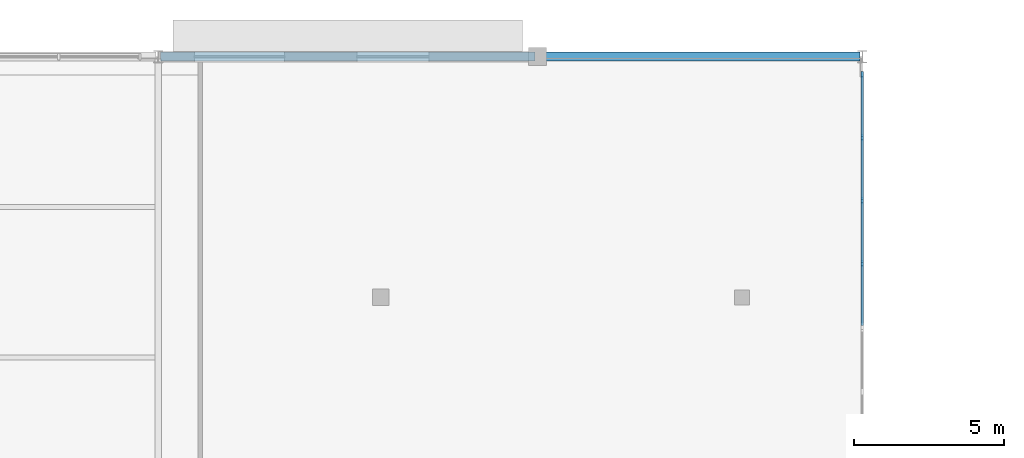
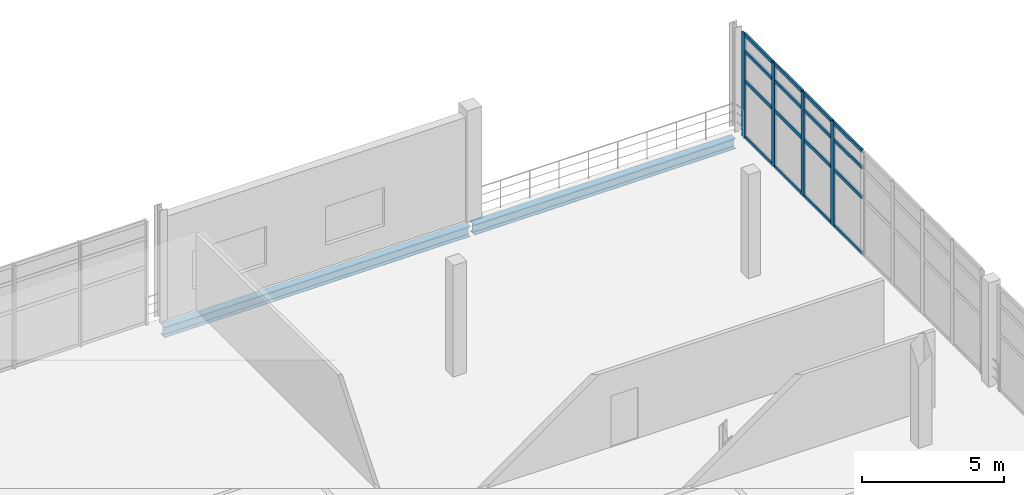
# One storey, part 28 of 52: 20 members, 2 beams, 1 element without a shape of its own.
"""IFC4 building model written with IfcOpenShell, lengths in metres."""

from ifc_helpers import new_model, si_unit, direction, frame, origin, origin_2d, place, context, subcontext, project, spatial, rectangle, i_section, extrude, material, material_profile, profile_set, type_object, element, aggregate, save


model = new_model("IFC4")

# Units and contexts
model_context = context("Model", 3, precision=1e-05, world=origin(), true_north=direction((0.0, 1.0)))
body_context = subcontext(model_context, "Body", "Model", "MODEL_VIEW")
ifc_project = project(units=[si_unit("LENGTHUNIT", "METRE"), si_unit("AREAUNIT", "SQUARE_METRE"), si_unit("VOLUMEUNIT", "CUBIC_METRE"), si_unit("PLANEANGLEUNIT", "RADIAN"), si_unit("MASSUNIT", "GRAM", prefix="KILO"), si_unit("THERMODYNAMICTEMPERATUREUNIT", "KELVIN"), si_unit("POWERUNIT", "WATT")], contexts=[model_context])

# Site, building, storey
site_placement = place(None, origin())
site = spatial("IfcSite", under=ifc_project, at=site_placement, CompositionType="ELEMENT")
building_placement = place(site_placement, origin())
building = spatial("IfcBuilding", under=site, at=building_placement, Name="Solmara Park Aquatics Centre", CompositionType="ELEMENT")
storey_placement = place(building_placement, frame((0.0, 0.0, 9.60009765625)))
storey = spatial("IfcBuildingStorey", under=building, at=storey_placement, Name="L02", CompositionType="ELEMENT", Elevation=9.60009765625)

# Curtain wall, members
ifc_material_1 = material(Name="Anodised Aluminium Curtain Wall Framing", Category="aluminium")
curtain_wall_type = type_object("IfcCurtainWallType", Name="ARC-CW-SYS06", PredefinedType="USERDEFINED", material=ifc_material_1)
curtain_wall_placement = place(storey_placement, origin())
curtain_wall = element("IfcCurtainWall", 1, at=curtain_wall_placement, inside=storey, type_object=curtain_wall_type, Name="Curtain Wall CW-129", ObjectType="CURTAIN WALL", PredefinedType="USERDEFINED")
ifc_material_2 = material(Name="Anodised Aluminium Alloy 6063-T6", Category="aluminium")
ifc_material_profile_1 = material_profile(ifc_material_2, rectangle(XDim=0.074951171875, YDim=0.219970703125, at=origin_2d()), Name="ALU MULLION 75x220")
ifc_profile_set_1 = profile_set([ifc_material_profile_1], Name="Anodised Aluminium Alloy 6063-T6")
member_type_1 = type_object("IfcMemberType", Name="ARC-CWM-75x220", PredefinedType="MULLION", material=ifc_profile_set_1)
member_1_placement = place(storey_placement, frame((120.0, 129.1298828125, 0.0), z_axis=(0.0, 0.0, 1.0), x_axis=(1.0, 0.0, 0.0)))
member_1 = element("IfcMember", 2, at=member_1_placement, type_object=member_type_1, Name="CW-129 mullion 2", PredefinedType="MULLION", context=body_context, shape_type="SweptSolid", body=[
    extrude(rectangle(XDim=0.074951171875, YDim=0.219970703125, at=origin_2d()), origin(), (0.0, 0.0, 1.0), 4.47998046875),
])
member_2_placement = place(storey_placement, frame((120.0, 131.219970703125, 0.0), z_axis=(0.0, 0.0, 1.0), x_axis=(1.0, 0.0, 0.0)))
member_2 = element("IfcMember", 3, at=member_2_placement, type_object=member_type_1, Name="CW-129 mullion 3", PredefinedType="MULLION", context=body_context, shape_type="SweptSolid", body=[
    extrude(rectangle(XDim=0.074951171875, YDim=0.219970703125, at=origin_2d()), origin(), (0.0, 0.0, 1.0), 4.47998046875),
])
member_3_placement = place(storey_placement, frame((120.0, 133.31005859375, 0.0), z_axis=(0.0, 0.0, 1.0), x_axis=(1.0, 0.0, 0.0)))
member_3 = element("IfcMember", 4, at=member_3_placement, type_object=member_type_1, Name="CW-129 mullion 4", PredefinedType="MULLION", context=body_context, shape_type="SweptSolid", body=[
    extrude(rectangle(XDim=0.074951171875, YDim=0.219970703125, at=origin_2d()), origin(), (0.0, 0.0, 1.0), 4.47998046875),
])
member_4_placement = place(storey_placement, frame((120.0, 135.39990234375, 0.0), z_axis=(0.0, 0.0, 1.0), x_axis=(1.0, 0.0, 0.0)))
member_4 = element("IfcMember", 5, at=member_4_placement, type_object=member_type_1, Name="CW-129 mullion 5", PredefinedType="MULLION", context=body_context, shape_type="SweptSolid", body=[
    extrude(rectangle(XDim=0.074951171875, YDim=0.219970703125, at=origin_2d()), origin(), (0.0, 0.0, 1.0), 4.47998046875),
])
ifc_material_profile_2 = material_profile(ifc_material_2, rectangle(XDim=0.074951171875, YDim=0.14990234375, at=origin_2d()), Name="ALU TRANSOM 75x150")
ifc_profile_set_2 = profile_set([ifc_material_profile_2], Name="Anodised Aluminium Alloy 6063-T6")
member_type_2 = type_object("IfcMemberType", Name="ARC-CWT-75x150", PredefinedType="USERDEFINED", material=ifc_profile_set_2)
member_5_placement = place(storey_placement, frame((120.0, 127.06005859375, 0.039794921875), z_axis=(0.0, 1.0, 0.0), x_axis=(-1.0, 0.0, 0.0)))
member_5 = element("IfcMember", 6, at=member_5_placement, type_object=member_type_2, Name="CW-129 transom 1", ObjectType="TRANSOM", PredefinedType="USERDEFINED", context=body_context, shape_type="SweptSolid", body=[
    extrude(rectangle(XDim=0.074951171875, YDim=0.14990234375, at=origin_2d()), origin(), (0.0, 0.0, 1.0), 2.010009765625),
])
member_6_placement = place(storey_placement, frame((120.0, 127.06005859375, 2.449951171875), z_axis=(0.0, 1.0, 0.0), x_axis=(-1.0, 0.0, 0.0)))
member_6 = element("IfcMember", 7, at=member_6_placement, type_object=member_type_2, Name="CW-129 transom 2", ObjectType="TRANSOM", PredefinedType="USERDEFINED", context=body_context, shape_type="SweptSolid", body=[
    extrude(rectangle(XDim=0.074951171875, YDim=0.14990234375, at=origin_2d()), origin(), (0.0, 0.0, 1.0), 2.010009765625),
])
member_7_placement = place(storey_placement, frame((120.0, 127.06005859375, 3.72998046875), z_axis=(0.0, 1.0, 0.0), x_axis=(-1.0, 0.0, 0.0)))
member_7 = element("IfcMember", 8, at=member_7_placement, type_object=member_type_2, Name="CW-129 transom 3", ObjectType="TRANSOM", PredefinedType="USERDEFINED", context=body_context, shape_type="SweptSolid", body=[
    extrude(rectangle(XDim=0.074951171875, YDim=0.14990234375, at=origin_2d()), origin(), (0.0, 0.0, 1.0), 2.010009765625),
])
member_8_placement = place(storey_placement, frame((120.0, 127.06005859375, 4.43994140625), z_axis=(0.0, 1.0, 0.0), x_axis=(-1.0, 0.0, 0.0)))
member_8 = element("IfcMember", 9, at=member_8_placement, type_object=member_type_2, Name="CW-129 transom 4", ObjectType="TRANSOM", PredefinedType="USERDEFINED", context=body_context, shape_type="SweptSolid", body=[
    extrude(rectangle(XDim=0.074951171875, YDim=0.14990234375, at=origin_2d()), origin(), (0.0, 0.0, 1.0), 2.010009765625),
])
member_9_placement = place(storey_placement, frame((120.0, 129.14990234375, 0.039794921875), z_axis=(0.0, 1.0, 0.0), x_axis=(-1.0, 0.0, 0.0)))
member_9 = element("IfcMember", 10, at=member_9_placement, type_object=member_type_2, Name="CW-129 transom 5", ObjectType="TRANSOM", PredefinedType="USERDEFINED", context=body_context, shape_type="SweptSolid", body=[
    extrude(rectangle(XDim=0.074951171875, YDim=0.14990234375, at=origin_2d()), origin(), (0.0, 0.0, 1.0), 2.010009765625),
])
member_10_placement = place(storey_placement, frame((120.0, 129.14990234375, 2.449951171875), z_axis=(0.0, 1.0, 0.0), x_axis=(-1.0, 0.0, 0.0)))
member_10 = element("IfcMember", 11, at=member_10_placement, type_object=member_type_2, Name="CW-129 transom 6", ObjectType="TRANSOM", PredefinedType="USERDEFINED", context=body_context, shape_type="SweptSolid", body=[
    extrude(rectangle(XDim=0.074951171875, YDim=0.14990234375, at=origin_2d()), origin(), (0.0, 0.0, 1.0), 2.010009765625),
])
member_11_placement = place(storey_placement, frame((120.0, 129.14990234375, 3.72998046875), z_axis=(0.0, 1.0, 0.0), x_axis=(-1.0, 0.0, 0.0)))
member_11 = element("IfcMember", 12, at=member_11_placement, type_object=member_type_2, Name="CW-129 transom 7", ObjectType="TRANSOM", PredefinedType="USERDEFINED", context=body_context, shape_type="SweptSolid", body=[
    extrude(rectangle(XDim=0.074951171875, YDim=0.14990234375, at=origin_2d()), origin(), (0.0, 0.0, 1.0), 2.010009765625),
])
member_12_placement = place(storey_placement, frame((120.0, 129.14990234375, 4.43994140625), z_axis=(0.0, 1.0, 0.0), x_axis=(-1.0, 0.0, 0.0)))
member_12 = element("IfcMember", 13, at=member_12_placement, type_object=member_type_2, Name="CW-129 transom 8", ObjectType="TRANSOM", PredefinedType="USERDEFINED", context=body_context, shape_type="SweptSolid", body=[
    extrude(rectangle(XDim=0.074951171875, YDim=0.14990234375, at=origin_2d()), origin(), (0.0, 0.0, 1.0), 2.010009765625),
])
member_13_placement = place(storey_placement, frame((120.0, 131.239990234375, 0.039794921875), z_axis=(0.0, 1.0, 0.0), x_axis=(-1.0, 0.0, 0.0)))
member_13 = element("IfcMember", 14, at=member_13_placement, type_object=member_type_2, Name="CW-129 transom 9", ObjectType="TRANSOM", PredefinedType="USERDEFINED", context=body_context, shape_type="SweptSolid", body=[
    extrude(rectangle(XDim=0.074951171875, YDim=0.14990234375, at=origin_2d()), origin(), (0.0, 0.0, 1.0), 2.010009765625),
])
member_14_placement = place(storey_placement, frame((120.0, 131.239990234375, 2.449951171875), z_axis=(0.0, 1.0, 0.0), x_axis=(-1.0, 0.0, 0.0)))
member_14 = element("IfcMember", 15, at=member_14_placement, type_object=member_type_2, Name="CW-129 transom 10", ObjectType="TRANSOM", PredefinedType="USERDEFINED", context=body_context, shape_type="SweptSolid", body=[
    extrude(rectangle(XDim=0.074951171875, YDim=0.14990234375, at=origin_2d()), origin(), (0.0, 0.0, 1.0), 2.010009765625),
])
member_15_placement = place(storey_placement, frame((120.0, 131.239990234375, 3.72998046875), z_axis=(0.0, 1.0, 0.0), x_axis=(-1.0, 0.0, 0.0)))
member_15 = element("IfcMember", 16, at=member_15_placement, type_object=member_type_2, Name="CW-129 transom 11", ObjectType="TRANSOM", PredefinedType="USERDEFINED", context=body_context, shape_type="SweptSolid", body=[
    extrude(rectangle(XDim=0.074951171875, YDim=0.14990234375, at=origin_2d()), origin(), (0.0, 0.0, 1.0), 2.010009765625),
])
member_16_placement = place(storey_placement, frame((120.0, 131.239990234375, 4.43994140625), z_axis=(0.0, 1.0, 0.0), x_axis=(-1.0, 0.0, 0.0)))
member_16 = element("IfcMember", 17, at=member_16_placement, type_object=member_type_2, Name="CW-129 transom 12", ObjectType="TRANSOM", PredefinedType="USERDEFINED", context=body_context, shape_type="SweptSolid", body=[
    extrude(rectangle(XDim=0.074951171875, YDim=0.14990234375, at=origin_2d()), origin(), (0.0, 0.0, 1.0), 2.010009765625),
])
member_17_placement = place(storey_placement, frame((120.0, 133.330078125, 0.039794921875), z_axis=(0.0, 1.0, 0.0), x_axis=(-1.0, 0.0, 0.0)))
member_17 = element("IfcMember", 18, at=member_17_placement, type_object=member_type_2, Name="CW-129 transom 13", ObjectType="TRANSOM", PredefinedType="USERDEFINED", context=body_context, shape_type="SweptSolid", body=[
    extrude(rectangle(XDim=0.074951171875, YDim=0.14990234375, at=origin_2d()), origin(), (0.0, 0.0, 1.0), 2.010009765625),
])
member_18_placement = place(storey_placement, frame((120.0, 133.330078125, 2.449951171875), z_axis=(0.0, 1.0, 0.0), x_axis=(-1.0, 0.0, 0.0)))
member_18 = element("IfcMember", 19, at=member_18_placement, type_object=member_type_2, Name="CW-129 transom 14", ObjectType="TRANSOM", PredefinedType="USERDEFINED", context=body_context, shape_type="SweptSolid", body=[
    extrude(rectangle(XDim=0.074951171875, YDim=0.14990234375, at=origin_2d()), origin(), (0.0, 0.0, 1.0), 2.010009765625),
])
member_19_placement = place(storey_placement, frame((120.0, 133.330078125, 3.72998046875), z_axis=(0.0, 1.0, 0.0), x_axis=(-1.0, 0.0, 0.0)))
member_19 = element("IfcMember", 20, at=member_19_placement, type_object=member_type_2, Name="CW-129 transom 15", ObjectType="TRANSOM", PredefinedType="USERDEFINED", context=body_context, shape_type="SweptSolid", body=[
    extrude(rectangle(XDim=0.074951171875, YDim=0.14990234375, at=origin_2d()), origin(), (0.0, 0.0, 1.0), 2.010009765625),
])
member_20_placement = place(storey_placement, frame((120.0, 133.330078125, 4.43994140625), z_axis=(0.0, 1.0, 0.0), x_axis=(-1.0, 0.0, 0.0)))
member_20 = element("IfcMember", 21, at=member_20_placement, type_object=member_type_2, Name="CW-129 transom 16", ObjectType="TRANSOM", PredefinedType="USERDEFINED", context=body_context, shape_type="SweptSolid", body=[
    extrude(rectangle(XDim=0.074951171875, YDim=0.14990234375, at=origin_2d()), origin(), (0.0, 0.0, 1.0), 2.010009765625),
])
aggregate(curtain_wall, [member_1, member_2, member_3, member_4, member_5, member_6, member_7, member_8, member_9, member_10, member_11, member_12, member_13, member_14, member_15, member_16, member_17, member_18, member_19, member_20])

# Beams
ifc_material_3 = material(Name="Structural Steel S355", Category="steel")
ifc_material_profile_3 = material_profile(ifc_material_3, i_section(OverallWidth=0.300048828125, OverallDepth=0.449951171875, WebThickness=0.013916015625, FlangeThickness=0.02587890625, FilletRadius=0.027099609375, at=origin_2d()), Name="HEB 450")
ifc_profile_set_3 = profile_set([ifc_material_profile_3], Name="Structural Steel S355")
beam_type = type_object("IfcBeamType", Name="STR-BM-HEB450", PredefinedType="BEAM", material=ifc_profile_set_3)
beam_1_placement = place(storey_placement, frame((96.679931640625, 136.0, -0.545166015625), z_axis=(1.0, 0.0, 0.0), x_axis=(0.0, 1.0, 0.0)))
element("IfcBeam", 22, at=beam_1_placement, inside=storey, type_object=beam_type, Name="Girder BM-L02-0410", PredefinedType="BEAM", context=body_context, shape_type="SweptSolid", body=[
    extrude(i_section(OverallWidth=0.300048828125, OverallDepth=0.449951171875, WebThickness=0.013916015625, FlangeThickness=0.02587890625, FilletRadius=0.027099609375, at=origin_2d()), origin(), (0.0, 0.0, 1.0), 12.440185546875),
])
beam_2_placement = place(storey_placement, frame((109.280029296875, 136.0, -0.545166015625), z_axis=(1.0, 0.0, 0.0), x_axis=(0.0, 1.0, 0.0)))
element("IfcBeam", 23, at=beam_2_placement, inside=storey, type_object=beam_type, Name="Girder BM-L02-0411", PredefinedType="BEAM", context=body_context, shape_type="SweptSolid", body=[
    extrude(i_section(OverallWidth=0.300048828125, OverallDepth=0.449951171875, WebThickness=0.013916015625, FlangeThickness=0.02587890625, FilletRadius=0.027099609375, at=origin_2d()), origin(), (0.0, 0.0, 1.0), 10.639892578125),
])

save(model, "model.ifc")
